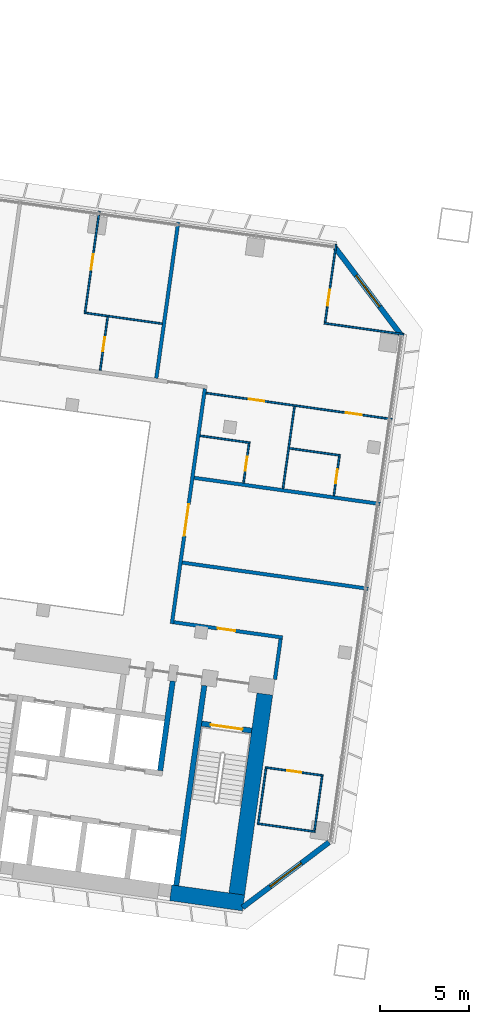
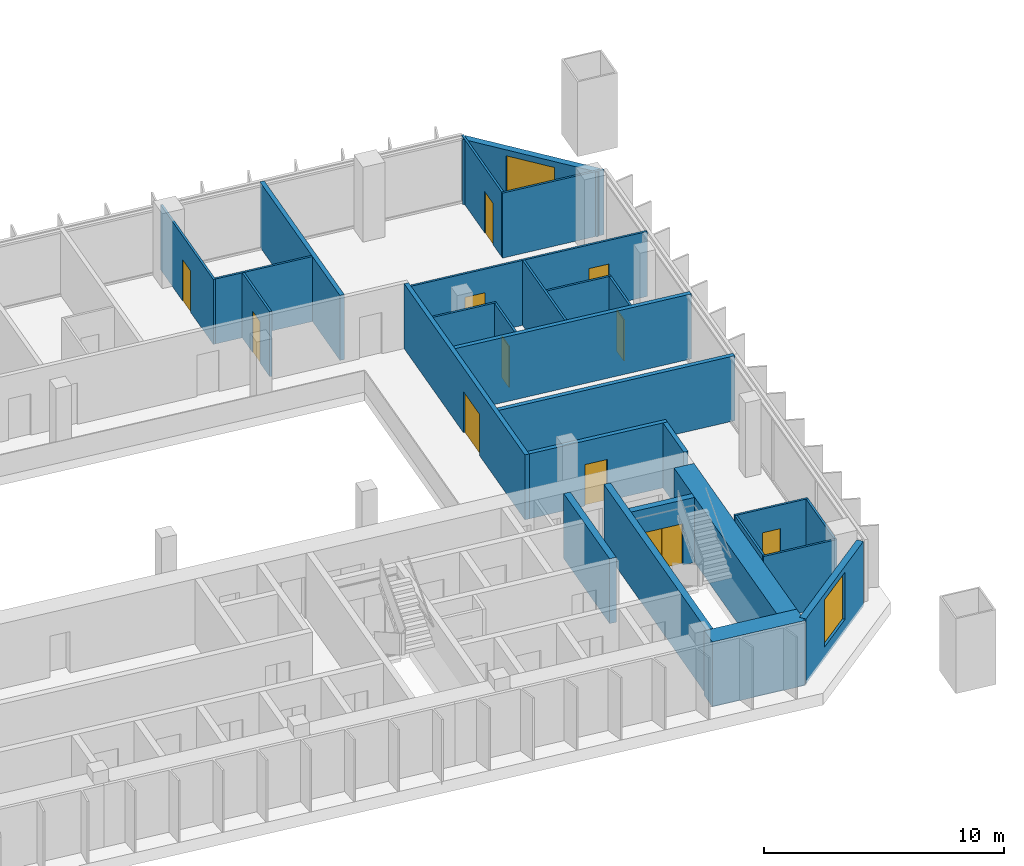
# One storey, part 17 of 24: 28 walls, 11 doors, 2 windows, 13 openings.
"""IFC4 building model written with IfcOpenShell, lengths in metres."""

from ifc_helpers import new_model, si_unit, direction, frame, frame_2d, origin, place, context, subcontext, project, spatial, rectangle, extrude, material, layer, layer_set, type_object, element, fill, save


model = new_model("IFC4")

# Units and contexts
model_context = context("Model", 3, precision=1e-05, world=origin(), true_north=direction((0.0, 1.0)))
body_context = subcontext(model_context, "Body", "Model", "MODEL_VIEW")
ifc_project = project(units=[si_unit("LENGTHUNIT", "METRE"), si_unit("AREAUNIT", "SQUARE_METRE"), si_unit("VOLUMEUNIT", "CUBIC_METRE"), si_unit("PLANEANGLEUNIT", "RADIAN"), si_unit("MASSUNIT", "GRAM", prefix="KILO")], contexts=[model_context])

# Site, building, storey
site_placement = place(None, origin())
site = spatial("IfcSite", under=ifc_project, at=site_placement, CompositionType="ELEMENT")
building_placement = place(site_placement, origin())
building = spatial("IfcBuilding", under=site, at=building_placement, Name="Mirante Cascada Hotel Towers", CompositionType="ELEMENT")
storey_placement = place(building_placement, frame((0.0, 0.0, 88.9)))
storey = spatial("IfcBuildingStorey", under=building, at=storey_placement, Name="L19", CompositionType="ELEMENT", Elevation=88.9)

# Wall, opening, door
ifc_material_1 = material(Name="Fire-rated plasterboard on metal studs")
ifc_layer_1 = layer(ifc_material_1, 0.2)
ifc_layer_set_1 = layer_set([ifc_layer_1], Name="Compartment wall 200 EI 120")
wall_type_1 = type_object("IfcWallType", Name="Compartment wall 200 EI 120", PredefinedType="PARTITIONING", material=ifc_layer_set_1)
wall_1_placement = place(storey_placement, frame((-40.97, -3.8917, 0.0), z_axis=(0.0, 0.0, 1.0), x_axis=(0.9902695, -0.1391629, 0.0)))
wall_1 = element("IfcWall", 1, at=wall_1_placement, inside=storey, type_object=wall_type_1, Name="Wall 1-L19-03", PredefinedType="PARTITIONING", context=body_context, shape_type="SweptSolid", body=[
    extrude(rectangle(XDim=6.1999, YDim=0.2, at=frame_2d((3.1, 0.0))), origin(), (0.0, 0.0, 1.0), 3.3),
])
opening_1_placement = place(wall_1_placement, frame((2.5, 0.0, 0.0)))
opening_1 = element("IfcOpeningElement", 2, at=opening_1_placement, cuts=wall_1, Name="Opening D1-L19-02", PredefinedType="OPENING", context=body_context, shape_type="SweptSolid", body=[
    extrude(rectangle(XDim=1.0, YDim=2.1, at=frame_2d((0.5, 1.05))), frame((0.0, 0.1, 0.0), z_axis=(0.0, -1.0, 0.0), x_axis=(1.0, 0.0, 0.0)), (0.0, 0.0, 1.0), 0.2),
])
ifc_material_2 = material(Name="Fire-rated timber door leaf", Category="wood")
door_type_1 = type_object("IfcDoorType", Name="Entrance door DG1 1000x2100 EI 60", OperationType="SINGLE_SWING_LEFT", PredefinedType="DOOR", material=ifc_material_2)
door_1_placement = place(opening_1_placement, frame((1.0, 0.0, 0.0), z_axis=(0.0, 0.0, 1.0), x_axis=(-1.0, 0.0, 0.0)))
door_1 = element("IfcDoor", 3, at=door_1_placement, inside=storey, type_object=door_type_1, Name="Door D1-L19-02", OperationType="SINGLE_SWING_RIGHT", OverallHeight=2.1, OverallWidth=1.0, PredefinedType="DOOR", context=body_context, shape_type="SweptSolid", body=[
    extrude(rectangle(XDim=1.0, YDim=2.1, at=frame_2d((0.5, 1.05))), frame((0.0, 0.025, 0.0), z_axis=(0.0, -1.0, 0.0), x_axis=(1.0, 0.0, 0.0)), (0.0, 0.0, 1.0), 0.05),
])
fill(opening_1, door_1)

# Walls
wall_2_placement = place(storey_placement, frame((-30.0, -2.0, 0.0), z_axis=(0.0, 0.0, 1.0), x_axis=(-0.9902684, 0.1391704, 0.0)))
element("IfcWall", 4, at=wall_2_placement, inside=storey, type_object=wall_type_1, Name="Wall 1-L19-04", PredefinedType="PARTITIONING", context=body_context, shape_type="SweptSolid", body=[
    extrude(rectangle(XDim=10.6, YDim=0.2, at=frame_2d((5.3, 0.0))), origin(), (0.0, 0.0, 1.0), 3.3),
])
wall_3_placement = place(storey_placement, frame((-29.3273, 2.7863, 0.0), z_axis=(0.0, 0.0, 1.0), x_axis=(-0.9902686, 0.1391691, 0.0)))
element("IfcWall", 5, at=wall_3_placement, inside=storey, type_object=wall_type_1, Name="Wall 1-L19-08", PredefinedType="PARTITIONING", context=body_context, shape_type="SweptSolid", body=[
    extrude(rectangle(XDim=10.6001, YDim=0.2, at=frame_2d((5.3, 0.0))), origin(), (0.0, 0.0, 1.0), 3.3),
])
wall_4_placement = place(storey_placement, frame((-34.9433, -4.8397, 0.0), z_axis=(0.0, 0.0, 1.0), x_axis=(-0.1391749, -0.9902678, 0.0)))
element("IfcWall", 6, at=wall_4_placement, inside=storey, type_object=wall_type_1, Name="Wall 1-L19-27", PredefinedType="PARTITIONING", context=body_context, shape_type="SweptSolid", body=[
    extrude(rectangle(XDim=2.3, YDim=0.2, at=frame_2d((1.15, 0.0))), origin(), (0.0, 0.0, 1.0), 3.3),
])

# Wall, opening, door
wall_5_placement = place(storey_placement, frame((-39.2181, 9.2928, 0.0), z_axis=(0.0, 0.0, 1.0), x_axis=(-0.1391716, -0.9902683, 0.0)))
wall_5 = element("IfcWall", 7, at=wall_5_placement, inside=storey, type_object=wall_type_1, Name="Wall 1-L19-31", PredefinedType="PARTITIONING", context=body_context, shape_type="SweptSolid", body=[
    extrude(rectangle(XDim=13.4, YDim=0.2, at=frame_2d((6.7, 0.0))), origin(), (0.0, 0.0, 1.0), 3.3),
])
opening_2_placement = place(wall_5_placement, frame((6.5834, 0.0, 0.0)))
opening_2 = element("IfcOpeningElement", 8, at=opening_2_placement, cuts=wall_5, Name="Opening D1-L19-26", PredefinedType="OPENING", context=body_context, shape_type="SweptSolid", body=[
    extrude(rectangle(XDim=1.8, YDim=2.1, at=frame_2d((0.9, 1.05))), frame((0.0, 0.1, 0.0), z_axis=(0.0, -1.0, 0.0), x_axis=(1.0, 0.0, 0.0)), (0.0, 0.0, 1.0), 0.2),
])
ifc_material_3 = material(Name="Fire-rated timber door leaf", Category="wood")
door_type_2 = type_object("IfcDoorType", Name="Suite double door DG2 1800x2100 EI 60", OperationType="DOUBLE_DOOR_SINGLE_SWING", PredefinedType="DOOR", material=ifc_material_3)
door_2_placement = place(opening_2_placement, origin())
door_2 = element("IfcDoor", 9, at=door_2_placement, inside=storey, type_object=door_type_2, Name="Door D1-L19-26", OperationType="DOUBLE_DOOR_SINGLE_SWING", OverallHeight=2.1, OverallWidth=1.8, PredefinedType="DOOR", context=body_context, shape_type="SweptSolid", body=[
    extrude(rectangle(XDim=0.895, YDim=2.1, at=frame_2d((0.4475, 1.05))), frame((0.0, 0.025, 0.0), z_axis=(0.0, -1.0, 0.0), x_axis=(1.0, 0.0, 0.0)), (0.0, 0.0, 1.0), 0.05),
    extrude(rectangle(XDim=0.895, YDim=2.1, at=frame_2d((1.3525, 1.05))), frame((0.0, 0.025, 0.0), z_axis=(0.0, -1.0, 0.0), x_axis=(1.0, 0.0, 0.0)), (0.0, 0.0, 1.0), 0.05),
])
fill(opening_2, door_2)

# Walls
wall_6_placement = place(storey_placement, frame((-41.963, 9.8805, 0.0), z_axis=(0.0, 0.0, 1.0), x_axis=(0.1391794, 0.9902672, 0.0)))
element("IfcWall", 10, at=wall_6_placement, inside=storey, type_object=wall_type_1, Name="Wall 1-L19-32", PredefinedType="PARTITIONING", context=body_context, shape_type="SweptSolid", body=[
    extrude(rectangle(XDim=8.9, YDim=0.2, at=frame_2d((4.45, 0.0))), origin(), (0.0, 0.0, 1.0), 3.3),
])
ifc_material_4 = material(Name="Plasterboard on metal studs")
ifc_layer_2 = layer(ifc_material_4, 0.1)
ifc_layer_set_2 = layer_set([ifc_layer_2], Name="Partition 100")
wall_type_2 = type_object("IfcWallType", Name="Partition 100", PredefinedType="PARTITIONING", material=ifc_layer_set_2)
wall_7_placement = place(storey_placement, frame((-36.2561, -15.2583, 0.0), z_axis=(0.0, 0.0, 1.0), x_axis=(0.990267, -0.139181, 0.0)))
element("IfcWall", 11, at=wall_7_placement, inside=storey, type_object=wall_type_2, Name="Wall 1-L19-01", PredefinedType="PARTITIONING", context=body_context, shape_type="SweptSolid", body=[
    extrude(rectangle(XDim=3.3, YDim=0.1, at=frame_2d((1.65, 0.0))), origin(), (0.0, 0.0, 1.0), 3.3),
])

# Wall, opening, door
wall_8_placement = place(storey_placement, frame((-32.5429, -12.5488, 0.0), z_axis=(0.0, 0.0, 1.0), x_axis=(-0.9902664, 0.1391852, 0.0)))
wall_8 = element("IfcWall", 12, at=wall_8_placement, inside=storey, type_object=wall_type_2, Name="Wall 1-L19-02", PredefinedType="PARTITIONING", context=body_context, shape_type="SweptSolid", body=[
    extrude(rectangle(XDim=3.2999, YDim=0.1, at=frame_2d((1.65, 0.0))), origin(), (0.0, 0.0, 1.0), 3.3),
])
opening_3_placement = place(wall_8_placement, frame((1.25, 0.0, 0.0)))
opening_3 = element("IfcOpeningElement", 13, at=opening_3_placement, cuts=wall_8, Name="Opening D1-L19-01", PredefinedType="OPENING", context=body_context, shape_type="SweptSolid", body=[
    extrude(rectangle(XDim=0.8, YDim=2.1, at=frame_2d((0.4, 1.05))), frame((0.0, 0.05, 0.0), z_axis=(0.0, -1.0, 0.0), x_axis=(1.0, 0.0, 0.0)), (0.0, 0.0, 1.0), 0.1),
])
ifc_material_5 = material(Name="Timber door leaf", Category="wood")
door_type_3 = type_object("IfcDoorType", Name="Bathroom door DG4 800x2100", OperationType="SINGLE_SWING_LEFT", PredefinedType="DOOR", material=ifc_material_5)
door_3_placement = place(opening_3_placement, frame((0.8, 0.0, 0.0), z_axis=(0.0, 0.0, 1.0), x_axis=(-1.0, 0.0, 0.0)))
door_3 = element("IfcDoor", 14, at=door_3_placement, inside=storey, type_object=door_type_3, Name="Door D1-L19-01", OperationType="SINGLE_SWING_RIGHT", OverallHeight=2.1, OverallWidth=0.8, PredefinedType="DOOR", context=body_context, shape_type="SweptSolid", body=[
    extrude(rectangle(XDim=0.8, YDim=2.1, at=frame_2d((0.4, 1.05))), frame((0.0, 0.025, 0.0), z_axis=(0.0, -1.0, 0.0), x_axis=(1.0, 0.0, 0.0)), (0.0, 0.0, 1.0), 0.05),
])
fill(opening_3, door_3)

# Walls
wall_9_placement = place(storey_placement, frame((-31.568, 5.5248, 0.0), z_axis=(0.0, 0.0, 1.0), x_axis=(-0.9902683, 0.1391714, 0.0)))
element("IfcWall", 15, at=wall_9_placement, inside=storey, type_object=wall_type_2, Name="Wall 1-L19-10", PredefinedType="PARTITIONING", context=body_context, shape_type="SweptSolid", body=[
    extrude(rectangle(XDim=2.9, YDim=0.1, at=frame_2d((1.45, 0.0))), origin(), (0.0, 0.0, 1.0), 3.3),
])
wall_10_placement = place(storey_placement, frame((-39.4902, 6.6381, 0.0), z_axis=(0.0, 0.0, 1.0), x_axis=(0.9902704, -0.1391564, 0.0)))
element("IfcWall", 16, at=wall_10_placement, inside=storey, type_object=wall_type_2, Name="Wall 1-L19-11", PredefinedType="PARTITIONING", context=body_context, shape_type="SweptSolid", body=[
    extrude(rectangle(XDim=2.85, YDim=0.1, at=frame_2d((1.425, 0.0))), origin(), (0.0, 0.0, 1.0), 3.3),
])

# Wall, openings, doors
wall_11_placement = place(storey_placement, frame((-39.1515, 9.0479, 0.0), z_axis=(0.0, 0.0, 1.0), x_axis=(0.9902671, -0.1391797, 0.0)))
wall_11 = element("IfcWall", 17, at=wall_11_placement, inside=storey, type_object=wall_type_2, Name="Wall 1-L19-13", PredefinedType="PARTITIONING", context=body_context, shape_type="SweptSolid", body=[
    extrude(rectangle(XDim=10.6, YDim=0.1, at=frame_2d((5.3, 0.0))), origin(), (0.0, 0.0, 1.0), 3.3),
])
opening_4_placement = place(wall_11_placement, frame((7.975, 0.0, 0.0)))
opening_4 = element("IfcOpeningElement", 18, at=opening_4_placement, cuts=wall_11, Name="Opening D1-L19-06", PredefinedType="OPENING", context=body_context, shape_type="SweptSolid", body=[
    extrude(rectangle(XDim=0.9, YDim=2.1, at=frame_2d((0.45, 1.05))), frame((0.0, 0.05, 0.0), z_axis=(0.0, -1.0, 0.0), x_axis=(1.0, 0.0, 0.0)), (0.0, 0.0, 1.0), 0.1),
])
opening_5_placement = place(wall_11_placement, frame((2.425, 0.0, 0.0)))
opening_5 = element("IfcOpeningElement", 19, at=opening_5_placement, cuts=wall_11, Name="Opening D1-L19-07", PredefinedType="OPENING", context=body_context, shape_type="SweptSolid", body=[
    extrude(rectangle(XDim=0.9, YDim=2.1, at=frame_2d((0.45, 1.05))), frame((0.0, 0.05, 0.0), z_axis=(0.0, -1.0, 0.0), x_axis=(1.0, 0.0, 0.0)), (0.0, 0.0, 1.0), 0.1),
])
ifc_material_6 = material(Name="Timber door leaf", Category="wood")
door_type_4 = type_object("IfcDoorType", Name="Room door DG3 900x2100", OperationType="SINGLE_SWING_LEFT", PredefinedType="DOOR", material=ifc_material_6)
door_4_placement = place(opening_4_placement, origin())
door_4 = element("IfcDoor", 20, at=door_4_placement, inside=storey, type_object=door_type_4, Name="Door D1-L19-06", OperationType="SINGLE_SWING_LEFT", OverallHeight=2.1, OverallWidth=0.9, PredefinedType="DOOR", context=body_context, shape_type="SweptSolid", body=[
    extrude(rectangle(XDim=0.9, YDim=2.1, at=frame_2d((0.45, 1.05))), frame((0.0, 0.025, 0.0), z_axis=(0.0, -1.0, 0.0), x_axis=(1.0, 0.0, 0.0)), (0.0, 0.0, 1.0), 0.05),
])
fill(opening_4, door_4)
door_5_placement = place(opening_5_placement, origin())
door_5 = element("IfcDoor", 21, at=door_5_placement, inside=storey, type_object=door_type_4, Name="Door D1-L19-07", OperationType="SINGLE_SWING_LEFT", OverallHeight=2.1, OverallWidth=0.9, PredefinedType="DOOR", context=body_context, shape_type="SweptSolid", body=[
    extrude(rectangle(XDim=0.9, YDim=2.1, at=frame_2d((0.45, 1.05))), frame((0.0, 0.025, 0.0), z_axis=(0.0, -1.0, 0.0), x_axis=(1.0, 0.0, 0.0)), (0.0, 0.0, 1.0), 0.05),
])
fill(opening_5, door_5)

# Walls
wall_12_placement = place(storey_placement, frame((-41.6306, 12.9643, 0.0), z_axis=(0.0, 0.0, 1.0), x_axis=(-0.9902679, 0.1391745, 0.0)))
element("IfcWall", 22, at=wall_12_placement, inside=storey, type_object=wall_type_2, Name="Wall 1-L19-20", PredefinedType="PARTITIONING", context=body_context, shape_type="SweptSolid", body=[
    extrude(rectangle(XDim=4.3499, YDim=0.1, at=frame_2d((2.175, 0.0))), origin(), (0.0, 0.0, 1.0), 3.3),
])
wall_13_placement = place(storey_placement, frame((-32.4877, 12.9921, 0.0), z_axis=(0.0, 0.0, 1.0), x_axis=(0.9902691, -0.1391656, 0.0)))
element("IfcWall", 23, at=wall_13_placement, inside=storey, type_object=wall_type_2, Name="Wall 1-L19-23", PredefinedType="PARTITIONING", context=body_context, shape_type="SweptSolid", body=[
    extrude(rectangle(XDim=4.55, YDim=0.1, at=frame_2d((2.275, 0.0))), origin(), (0.0, 0.0, 1.0), 3.3),
])
wall_14_placement = place(storey_placement, frame((-33.0308, -15.6611, 0.0), z_axis=(0.0, 0.0, 1.0), x_axis=(0.1391945, 0.9902651, 0.0)))
element("IfcWall", 24, at=wall_14_placement, inside=storey, type_object=wall_type_2, Name="Wall 1-L19-24", PredefinedType="PARTITIONING", context=body_context, shape_type="SweptSolid", body=[
    extrude(rectangle(XDim=3.1, YDim=0.1, at=frame_2d((1.55, 0.0))), origin(), (0.0, 0.0, 1.0), 3.3),
])

# Wall, opening, door
wall_15_placement = place(storey_placement, frame((-31.6245, 5.4822, 0.0), z_axis=(0.0, 0.0, 1.0), x_axis=(-0.1391561, -0.9902705, 0.0)))
wall_15 = element("IfcWall", 25, at=wall_15_placement, inside=storey, type_object=wall_type_2, Name="Wall 1-L19-25", PredefinedType="PARTITIONING", context=body_context, shape_type="SweptSolid", body=[
    extrude(rectangle(XDim=2.25, YDim=0.1, at=frame_2d((1.125, 0.0))), origin(), (0.0, 0.0, 1.0), 3.3),
])
opening_6_placement = place(wall_15_placement, frame((0.75, 0.0, 0.0)))
opening_6 = element("IfcOpeningElement", 26, at=opening_6_placement, cuts=wall_15, Name="Opening D1-L19-23", PredefinedType="OPENING", context=body_context, shape_type="SweptSolid", body=[
    extrude(rectangle(XDim=0.8, YDim=2.1, at=frame_2d((0.4, 1.05))), frame((0.0, 0.05, 0.0), z_axis=(0.0, -1.0, 0.0), x_axis=(1.0, 0.0, 0.0)), (0.0, 0.0, 1.0), 0.1),
])
door_6_placement = place(opening_6_placement, frame((0.8, 0.0, 0.0), z_axis=(0.0, 0.0, 1.0), x_axis=(-1.0, 0.0, 0.0)))
door_6 = element("IfcDoor", 27, at=door_6_placement, inside=storey, type_object=door_type_3, Name="Door D1-L19-23", OperationType="SINGLE_SWING_RIGHT", OverallHeight=2.1, OverallWidth=0.8, PredefinedType="DOOR", context=body_context, shape_type="SweptSolid", body=[
    extrude(rectangle(XDim=0.8, YDim=2.1, at=frame_2d((0.4, 1.05))), frame((0.0, 0.025, 0.0), z_axis=(0.0, -1.0, 0.0), x_axis=(1.0, 0.0, 0.0)), (0.0, 0.0, 1.0), 0.05),
])
fill(opening_6, door_6)

# Wall
wall_16_placement = place(storey_placement, frame((-36.1996, -15.2158, 0.0), z_axis=(0.0, 0.0, 1.0), x_axis=(0.1391629, 0.9902695, 0.0)))
element("IfcWall", 28, at=wall_16_placement, inside=storey, type_object=wall_type_2, Name="Wall 1-L19-26", PredefinedType="PARTITIONING", context=body_context, shape_type="SweptSolid", body=[
    extrude(rectangle(XDim=3.1, YDim=0.1, at=frame_2d((1.55, 0.0))), origin(), (0.0, 0.0, 1.0), 3.3),
])

# Wall, opening, door
wall_17_placement = place(storey_placement, frame((-32.4312, 13.0347, 0.0), z_axis=(0.0, 0.0, 1.0), x_axis=(0.1391684, 0.9902687, 0.0)))
wall_17 = element("IfcWall", 29, at=wall_17_placement, inside=storey, type_object=wall_type_2, Name="Wall 1-L19-28", PredefinedType="PARTITIONING", context=body_context, shape_type="SweptSolid", body=[
    extrude(rectangle(XDim=4.45, YDim=0.1, at=frame_2d((2.225, 0.0))), origin(), (0.0, 0.0, 1.0), 3.3),
])
opening_7_placement = place(wall_17_placement, frame((0.9667, 0.0, 0.0)))
opening_7 = element("IfcOpeningElement", 30, at=opening_7_placement, cuts=wall_17, Name="Opening D1-L19-24", PredefinedType="OPENING", context=body_context, shape_type="SweptSolid", body=[
    extrude(rectangle(XDim=0.9, YDim=2.1, at=frame_2d((0.45, 1.05))), frame((0.0, 0.05, 0.0), z_axis=(0.0, -1.0, 0.0), x_axis=(1.0, 0.0, 0.0)), (0.0, 0.0, 1.0), 0.1),
])
door_7_placement = place(opening_7_placement, origin())
door_7 = element("IfcDoor", 31, at=door_7_placement, inside=storey, type_object=door_type_4, Name="Door D1-L19-24", OperationType="SINGLE_SWING_LEFT", OverallHeight=2.1, OverallWidth=0.9, PredefinedType="DOOR", context=body_context, shape_type="SweptSolid", body=[
    extrude(rectangle(XDim=0.9, YDim=2.1, at=frame_2d((0.45, 1.05))), frame((0.0, 0.025, 0.0), z_axis=(0.0, -1.0, 0.0), x_axis=(1.0, 0.0, 0.0)), (0.0, 0.0, 1.0), 0.05),
])
fill(opening_7, door_7)

# Wall
wall_18_placement = place(storey_placement, frame((-34.1576, 8.2955, 0.0), z_axis=(0.0, 0.0, 1.0), x_axis=(-0.139173, -0.9902681, 0.0)))
element("IfcWall", 32, at=wall_18_placement, inside=storey, type_object=wall_type_2, Name="Wall 1-L19-29", PredefinedType="PARTITIONING", context=body_context, shape_type="SweptSolid", body=[
    extrude(rectangle(XDim=4.6834, YDim=0.1, at=frame_2d((2.3417, 0.0))), origin(), (0.0, 0.0, 1.0), 3.3),
])

# Wall, opening, door
wall_19_placement = place(storey_placement, frame((-37.0375, 3.9708, 0.0), z_axis=(0.0, 0.0, 1.0), x_axis=(0.1391561, 0.9902705, 0.0)))
wall_19 = element("IfcWall", 33, at=wall_19_placement, inside=storey, type_object=wall_type_2, Name="Wall 1-L19-30", PredefinedType="PARTITIONING", context=body_context, shape_type="SweptSolid", body=[
    extrude(rectangle(XDim=2.25, YDim=0.1, at=frame_2d((1.125, 0.0))), origin(), (0.0, 0.0, 1.0), 3.3),
])
opening_8_placement = place(wall_19_placement, frame((0.7, 0.0, 0.0)))
opening_8 = element("IfcOpeningElement", 34, at=opening_8_placement, cuts=wall_19, Name="Opening D1-L19-25", PredefinedType="OPENING", context=body_context, shape_type="SweptSolid", body=[
    extrude(rectangle(XDim=0.8, YDim=2.1, at=frame_2d((0.4, 1.05))), frame((0.0, 0.05, 0.0), z_axis=(0.0, -1.0, 0.0), x_axis=(1.0, 0.0, 0.0)), (0.0, 0.0, 1.0), 0.1),
])
door_8_placement = place(opening_8_placement, origin())
door_8 = element("IfcDoor", 35, at=door_8_placement, inside=storey, type_object=door_type_3, Name="Door D1-L19-25", OperationType="SINGLE_SWING_LEFT", OverallHeight=2.1, OverallWidth=0.8, PredefinedType="DOOR", context=body_context, shape_type="SweptSolid", body=[
    extrude(rectangle(XDim=0.8, YDim=2.1, at=frame_2d((0.4, 1.05))), frame((0.0, 0.025, 0.0), z_axis=(0.0, -1.0, 0.0), x_axis=(1.0, 0.0, 0.0)), (0.0, 0.0, 1.0), 0.05),
])
fill(opening_8, door_8)

wall_20_placement = place(storey_placement, frame((-44.7074, 13.3462, 0.0), z_axis=(0.0, 0.0, 1.0), x_axis=(-0.1391488, -0.9902715, 0.0)))
wall_20 = element("IfcWall", 36, at=wall_20_placement, inside=storey, type_object=wall_type_2, Name="Wall 1-L19-33", PredefinedType="PARTITIONING", context=body_context, shape_type="SweptSolid", body=[
    extrude(rectangle(XDim=3.05, YDim=0.1, at=frame_2d((1.525, 0.0))), origin(), (0.0, 0.0, 1.0), 3.3),
])
opening_9_placement = place(wall_20_placement, frame((1.15, 0.0, 0.0)))
opening_9 = element("IfcOpeningElement", 37, at=opening_9_placement, cuts=wall_20, Name="Opening D1-L19-27", PredefinedType="OPENING", context=body_context, shape_type="SweptSolid", body=[
    extrude(rectangle(XDim=0.8, YDim=2.1, at=frame_2d((0.4, 1.05))), frame((0.0, 0.05, 0.0), z_axis=(0.0, -1.0, 0.0), x_axis=(1.0, 0.0, 0.0)), (0.0, 0.0, 1.0), 0.1),
])
door_9_placement = place(opening_9_placement, frame((0.8, 0.0, 0.0), z_axis=(0.0, 0.0, 1.0), x_axis=(-1.0, 0.0, 0.0)))
door_9 = element("IfcDoor", 38, at=door_9_placement, inside=storey, type_object=door_type_3, Name="Door D1-L19-27", OperationType="SINGLE_SWING_RIGHT", OverallHeight=2.1, OverallWidth=0.8, PredefinedType="DOOR", context=body_context, shape_type="SweptSolid", body=[
    extrude(rectangle(XDim=0.8, YDim=2.1, at=frame_2d((0.4, 1.05))), frame((0.0, 0.025, 0.0), z_axis=(0.0, -1.0, 0.0), x_axis=(1.0, 0.0, 0.0)), (0.0, 0.0, 1.0), 0.05),
])
fill(opening_9, door_9)

wall_21_placement = place(storey_placement, frame((-45.9947, 13.5271, 0.0), z_axis=(0.0, 0.0, 1.0), x_axis=(0.1391786, 0.9902673, 0.0)))
wall_21 = element("IfcWall", 39, at=wall_21_placement, inside=storey, type_object=wall_type_2, Name="Wall 1-L19-34", PredefinedType="PARTITIONING", context=body_context, shape_type="SweptSolid", body=[
    extrude(rectangle(XDim=5.85, YDim=0.1, at=frame_2d((2.925, 0.0))), origin(), (0.0, 0.0, 1.0), 3.3),
])
opening_10_placement = place(wall_21_placement, frame((2.5, 0.0, 0.0)))
opening_10 = element("IfcOpeningElement", 40, at=opening_10_placement, cuts=wall_21, Name="Opening D1-L19-28", PredefinedType="OPENING", context=body_context, shape_type="SweptSolid", body=[
    extrude(rectangle(XDim=0.9, YDim=2.1, at=frame_2d((0.45, 1.05))), frame((0.0, 0.05, 0.0), z_axis=(0.0, -1.0, 0.0), x_axis=(1.0, 0.0, 0.0)), (0.0, 0.0, 1.0), 0.1),
])
door_10_placement = place(opening_10_placement, origin())
door_10 = element("IfcDoor", 41, at=door_10_placement, inside=storey, type_object=door_type_4, Name="Door D1-L19-28", OperationType="SINGLE_SWING_LEFT", OverallHeight=2.1, OverallWidth=0.9, PredefinedType="DOOR", context=body_context, shape_type="SweptSolid", body=[
    extrude(rectangle(XDim=0.9, YDim=2.1, at=frame_2d((0.45, 1.05))), frame((0.0, 0.025, 0.0), z_axis=(0.0, -1.0, 0.0), x_axis=(1.0, 0.0, 0.0)), (0.0, 0.0, 1.0), 0.05),
])
fill(opening_10, door_10)

# Wall, opening, window
ifc_material_7 = material(Name="Precast concrete C40/50", Category="concrete")
ifc_layer_3 = layer(ifc_material_7, 0.3)
ifc_layer_set_3 = layer_set([ifc_layer_3], Name="Precast concrete C40/50 cladding wall 300")
wall_type_3 = type_object("IfcWallType", Name="Precast concrete C40/50 cladding wall 300", PredefinedType="STANDARD", material=ifc_layer_set_3)
wall_22_placement = place(storey_placement, frame((-31.857, 17.252, 0.0), z_axis=(0.0, 0.0, 1.0), x_axis=(0.6018141, -0.7986362, 0.0)))
wall_22 = element("IfcWall", 42, at=wall_22_placement, inside=storey, type_object=wall_type_3, Name="Corner cladding wall T1 L19 front inner", PredefinedType="STANDARD", context=body_context, shape_type="SweptSolid", body=[
    extrude(rectangle(XDim=6.1157, YDim=0.3, at=frame_2d((3.0578, 0.0))), origin(), (0.0, 0.0, 1.0), 3.3),
])
opening_11_placement = place(wall_22_placement, frame((1.9578, 0.0, 0.6)))
opening_11 = element("IfcOpeningElement", 43, at=opening_11_placement, cuts=wall_22, Name="Opening W1-19-04", PredefinedType="OPENING", context=body_context, shape_type="SweptSolid", body=[
    extrude(rectangle(XDim=2.2, YDim=2.4, at=frame_2d((1.1, 1.2))), frame((0.0, 0.15, 0.0), z_axis=(0.0, -1.0, 0.0), x_axis=(1.0, 0.0, 0.0)), (0.0, 0.0, 1.0), 0.3),
])
ifc_material_8 = material(Name="Aluminium frame with clear double glazing", Category="aluminium")
window_type = type_object("IfcWindowType", Name="Corner suite window 2200x2400", PartitioningType="DOUBLE_PANEL_VERTICAL", PredefinedType="WINDOW", material=ifc_material_8)
window_1_placement = place(opening_11_placement, origin())
window_1 = element("IfcWindow", 44, at=window_1_placement, inside=storey, type_object=window_type, Name="Window W1-19-04", OverallHeight=2.4, OverallWidth=2.2, PartitioningType="SINGLE_PANEL", PredefinedType="WINDOW", context=body_context, shape_type="SweptSolid", body=[
    extrude(rectangle(XDim=2.2, YDim=2.4, at=frame_2d((1.1, 1.2))), frame((0.0, 0.03, 0.0), z_axis=(0.0, -1.0, 0.0), x_axis=(1.0, 0.0, 0.0)), (0.0, 0.0, 1.0), 0.06),
])
fill(opening_11, window_1)

wall_23_placement = place(storey_placement, frame((-32.2074, -16.3138, 0.0), z_axis=(0.0, 0.0, 1.0), x_axis=(-0.7986362, -0.6018141, 0.0)))
wall_23 = element("IfcWall", 45, at=wall_23_placement, inside=storey, type_object=wall_type_3, Name="Corner cladding wall T1 L19 inner rear", PredefinedType="STANDARD", context=body_context, shape_type="SweptSolid", body=[
    extrude(rectangle(XDim=6.1157, YDim=0.3, at=frame_2d((3.0578, 0.0))), origin(), (0.0, 0.0, 1.0), 3.3),
])
opening_12_placement = place(wall_23_placement, frame((1.9578, 0.0, 0.6)))
opening_12 = element("IfcOpeningElement", 46, at=opening_12_placement, cuts=wall_23, Name="Opening W1-19-05", PredefinedType="OPENING", context=body_context, shape_type="SweptSolid", body=[
    extrude(rectangle(XDim=2.2, YDim=2.4, at=frame_2d((1.1, 1.2))), frame((0.0, 0.15, 0.0), z_axis=(0.0, -1.0, 0.0), x_axis=(1.0, 0.0, 0.0)), (0.0, 0.0, 1.0), 0.3),
])
window_2_placement = place(opening_12_placement, origin())
window_2 = element("IfcWindow", 47, at=window_2_placement, inside=storey, type_object=window_type, Name="Window W1-19-05", OverallHeight=2.4, OverallWidth=2.2, PartitioningType="SINGLE_PANEL", PredefinedType="WINDOW", context=body_context, shape_type="SweptSolid", body=[
    extrude(rectangle(XDim=2.2, YDim=2.4, at=frame_2d((1.1, 1.2))), frame((0.0, 0.03, 0.0), z_axis=(0.0, -1.0, 0.0), x_axis=(1.0, 0.0, 0.0)), (0.0, 0.0, 1.0), 0.06),
])
fill(opening_12, window_2)

# Wall
ifc_material_9 = material(Name="Concrete C50/60", Category="concrete")
ifc_layer_4 = layer(ifc_material_9, 0.3)
ifc_layer_set_4 = layer_set([ifc_layer_4], Name="RC core wall 300 C50/60")
wall_type_4 = type_object("IfcWallType", Name="RC core wall 300 C50/60", PredefinedType="SHEAR", material=ifc_layer_set_4)
wall_24_placement = place(storey_placement, frame((-40.8373, -18.7548, 0.0), z_axis=(0.0, 0.0, 1.0), x_axis=(0.1391749, 0.9902678, 0.0)))
element("IfcWall", 48, at=wall_24_placement, inside=storey, type_object=wall_type_4, Name="Core wall T1:L19:5", PredefinedType="SHEAR", context=body_context, shape_type="SweptSolid", body=[
    extrude(rectangle(XDim=11.4, YDim=0.3, at=frame_2d((5.7, 0.0))), origin(), (0.0, 0.0, 1.0), 3.3),
])

# Wall, opening, door
wall_25_placement = place(storey_placement, frame((-36.5791, -10.0123, 0.0), z_axis=(0.0, 0.0, 1.0), x_axis=(-0.9902704, 0.1391564, 0.0)))
wall_25 = element("IfcWall", 49, at=wall_25_placement, inside=storey, type_object=wall_type_4, Name="Core wall T1:L19:9", PredefinedType="SHEAR", context=body_context, shape_type="SweptSolid", body=[
    extrude(rectangle(XDim=2.85, YDim=0.3, at=frame_2d((1.425, 0.0))), origin(), (0.0, 0.0, 1.0), 3.3),
])
opening_13_placement = place(wall_25_placement, frame((0.525, 0.0, 0.0)))
opening_13 = element("IfcOpeningElement", 50, at=opening_13_placement, cuts=wall_25, Name="Opening D1-19-C13", PredefinedType="OPENING", context=body_context, shape_type="SweptSolid", body=[
    extrude(rectangle(XDim=1.8, YDim=2.1, at=frame_2d((0.9, 1.05))), frame((0.0, 0.15, 0.0), z_axis=(0.0, -1.0, 0.0), x_axis=(1.0, 0.0, 0.0)), (0.0, 0.0, 1.0), 0.3),
])
ifc_material_10 = material(Name="Hollow metal fire door leaf")
door_type_5 = type_object("IfcDoorType", Name="Double fire door 1800x2100 FD60", OperationType="DOUBLE_DOOR_SINGLE_SWING", PredefinedType="DOOR", material=ifc_material_10)
door_11_placement = place(opening_13_placement, origin())
door_11 = element("IfcDoor", 51, at=door_11_placement, inside=storey, type_object=door_type_5, Name="Stair door T1 L19 13", OperationType="DOUBLE_DOOR_SINGLE_SWING", OverallHeight=2.1, OverallWidth=1.8, PredefinedType="DOOR", context=body_context, shape_type="SweptSolid", body=[
    extrude(rectangle(XDim=0.895, YDim=2.1, at=frame_2d((0.4475, 1.05))), frame((0.0, 0.025, 0.0), z_axis=(0.0, -1.0, 0.0), x_axis=(1.0, 0.0, 0.0)), (0.0, 0.0, 1.0), 0.05),
    extrude(rectangle(XDim=0.895, YDim=2.1, at=frame_2d((1.3525, 1.05))), frame((0.0, 0.025, 0.0), z_axis=(0.0, -1.0, 0.0), x_axis=(1.0, 0.0, 0.0)), (0.0, 0.0, 1.0), 0.05),
])
fill(opening_13, door_11)

# Walls
wall_26_placement = place(storey_placement, frame((-41.743, -12.2656, 0.0), z_axis=(0.0, 0.0, 1.0), x_axis=(0.1391755, 0.9902677, 0.0)))
element("IfcWall", 52, at=wall_26_placement, inside=storey, type_object=wall_type_4, Name="Core wall T1:L19:20", PredefinedType="SHEAR", context=body_context, shape_type="SweptSolid", body=[
    extrude(rectangle(XDim=5.1, YDim=0.3, at=frame_2d((2.55, 0.0))), origin(), (0.0, 0.0, 1.0), 3.3),
])
ifc_material_11 = material(Name="Concrete C50/60", Category="concrete")
ifc_layer_5 = layer(ifc_material_11, 0.9)
ifc_layer_set_5 = layer_set([ifc_layer_5], Name="RC core wall 900 C50/60")
wall_type_5 = type_object("IfcWallType", Name="RC core wall 900 C50/60", PredefinedType="SHEAR", material=ifc_layer_set_5)
wall_27_placement = place(storey_placement, frame((-37.0379, -19.7432, 0.0), z_axis=(0.0, 0.0, 1.0), x_axis=(-0.990267, 0.139181, 0.0)))
element("IfcWall", 53, at=wall_27_placement, inside=storey, type_object=wall_type_5, Name="Core wall T1:L19:1.1", PredefinedType="SHEAR", context=body_context, shape_type="SweptSolid", body=[
    extrude(rectangle(XDim=4.15, YDim=0.9, at=frame_2d((2.075, 0.0))), origin(), (0.0, 0.0, 1.0), 3.3),
])
wall_28_placement = place(storey_placement, frame((-37.4209, -19.2349, 0.0), z_axis=(0.0, 0.0, 1.0), x_axis=(0.1391761, 0.9902677, 0.0)))
element("IfcWall", 54, at=wall_28_placement, inside=storey, type_object=wall_type_5, Name="Core wall T1:L19:3", PredefinedType="SHEAR", context=body_context, shape_type="SweptSolid", body=[
    extrude(rectangle(XDim=11.3999, YDim=0.9, at=frame_2d((5.7, 0.0))), origin(), (0.0, 0.0, 1.0), 3.3),
])

save(model, "model.ifc")
